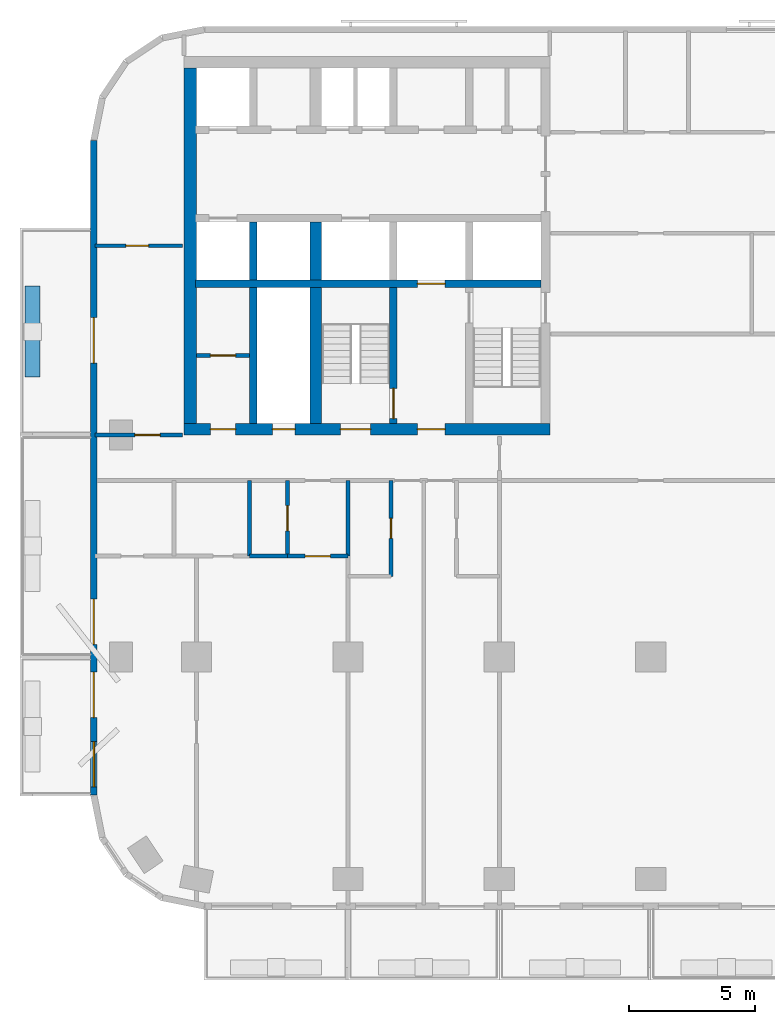
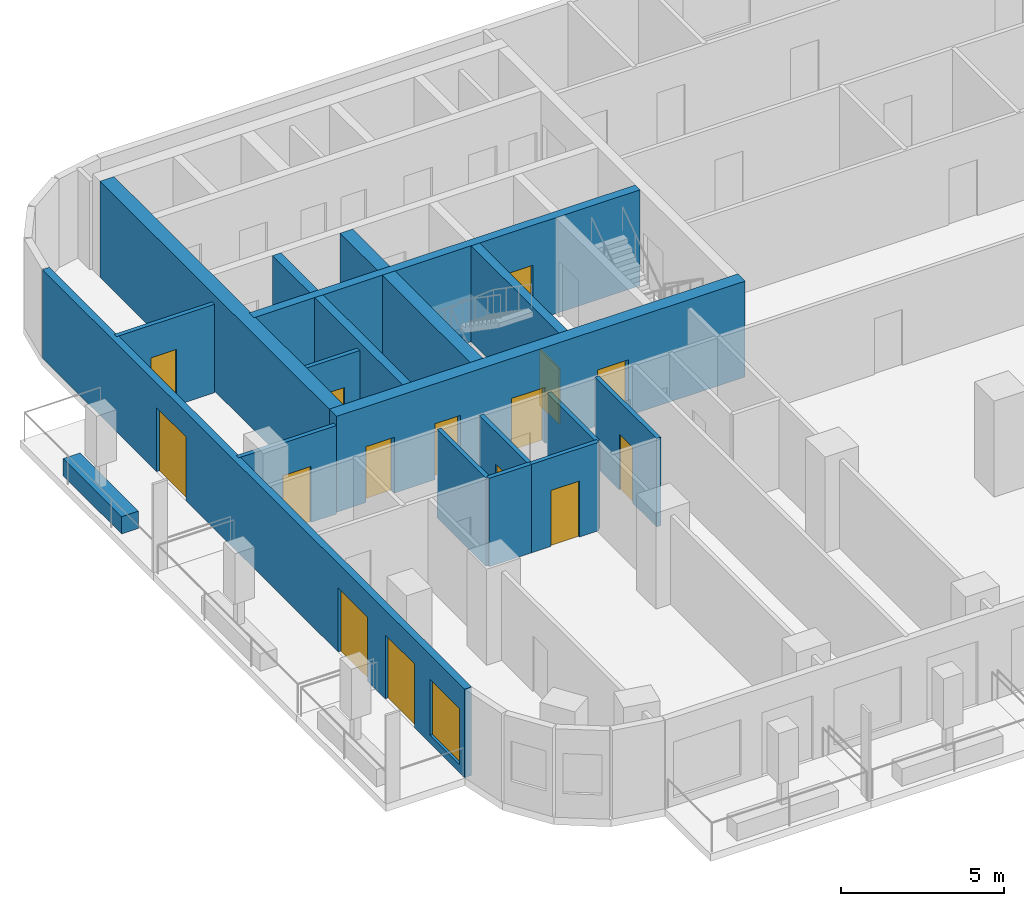
# One storey, part 3 of 12: 19 walls, 15 doors, 1 window, 16 openings.
"""IFC4 building model written with IfcOpenShell, lengths in metres."""

from ifc_helpers import new_model, si_unit, direction, frame, frame_2d, origin, place, context, subcontext, project, spatial, rectangle, extrude, material, layer, layer_set, type_object, element, fill, save


model = new_model("IFC4")

# Units and contexts
model_context = context("Model", 3, precision=1e-05, world=origin(), true_north=direction((0.0, 1.0)))
body_context = subcontext(model_context, "Body", "Model", "MODEL_VIEW")
ifc_project = project(units=[si_unit("LENGTHUNIT", "METRE"), si_unit("AREAUNIT", "SQUARE_METRE"), si_unit("VOLUMEUNIT", "CUBIC_METRE"), si_unit("PLANEANGLEUNIT", "RADIAN"), si_unit("MASSUNIT", "GRAM", prefix="KILO")], contexts=[model_context])

# Site, building, storey
site_placement = place(None, origin())
site = spatial("IfcSite", under=ifc_project, at=site_placement, CompositionType="ELEMENT")
building_placement = place(site_placement, origin())
building = spatial("IfcBuilding", under=site, at=building_placement, Name="Torana Hotel and Residences", CompositionType="ELEMENT")
storey_placement = place(building_placement, frame((0.0, 0.0, 112.800048828125)))
storey = spatial("IfcBuildingStorey", under=building, at=storey_placement, Name="L28", CompositionType="ELEMENT", Elevation=112.800048828125)

# Wall, opening, door
ifc_material_1 = material(Name="Concrete C70/85", Category="concrete")
ifc_layer_1 = layer(ifc_material_1, 0.300048828125)
ifc_layer_set_1 = layer_set([ifc_layer_1], Name="CORE WALL 300 C70/85")
wall_type_1 = type_object("IfcWallType", Name="CORE WALL 300 C70/85", PredefinedType="SHEAR", material=ifc_layer_set_1)
wall_1_placement = place(storey_placement, frame((-24.050048828125, -9.0, 0.0), z_axis=(0.0, 0.0, 1.0), x_axis=(1.0, 0.0, 0.0)))
wall_1 = element("IfcWall", 1, at=wall_1_placement, inside=storey, type_object=wall_type_1, Name="Core wall W band", PredefinedType="SHEAR", context=body_context, shape_type="SweptSolid", body=[
    extrude(rectangle(XDim=13.699951171875, YDim=0.300048828125, at=frame_2d((6.85009765625, 0.0))), origin(), (0.0, 0.0, 1.0), 3.599853515625),
])
opening_1_placement = place(wall_1_placement, frame((8.800048828125, 0.0, 0.0)))
opening_1 = element("IfcOpeningElement", 2, at=opening_1_placement, cuts=wall_1, Name="Opening LD", PredefinedType="OPENING", context=body_context, shape_type="SweptSolid", body=[
    extrude(rectangle(XDim=1.10009765625, YDim=2.10009765625, at=frame_2d((0.550048828125, 1.050048828125))), frame((0.0, 0.159912109375, 0.0), z_axis=(0.0, -1.0, 0.0), x_axis=(1.0, 0.0, 0.0)), (0.0, 0.0, 1.0), 0.320068359375),
])
ifc_material_2 = material(Name="Stainless steel 316", Category="steel")
door_type_1 = type_object("IfcDoorType", Name="LIFT LANDING DOOR LD 1100x2100", OperationType="DOUBLE_DOOR_SLIDING", PredefinedType="USERDEFINED", material=ifc_material_2)
door_1_placement = place(opening_1_placement, origin())
door_1 = element("IfcDoor", 3, at=door_1_placement, inside=storey, type_object=door_type_1, Name="Lift landing door FF1 L28", ObjectType="LIFT LANDING DOOR", OperationType="DOUBLE_DOOR_SLIDING", OverallHeight=2.10009765625, OverallWidth=1.10009765625, PredefinedType="USERDEFINED", context=body_context, shape_type="SweptSolid", body=[
    extrude(rectangle(XDim=1.10009765625, YDim=2.10009765625, at=frame_2d((0.550048828125, 1.050048828125))), frame((0.0, 0.02490234375, 0.0), z_axis=(0.0, -1.0, 0.0), x_axis=(1.0, 0.0, 0.0)), (0.0, 0.0, 1.0), 0.050048828125),
])
fill(opening_1, door_1)

wall_2_placement = place(storey_placement, frame((-16.199951171875, -14.550048828125, 0.0), z_axis=(0.0, 0.0, 1.0), x_axis=(0.0, 1.0, 0.0)))
wall_2 = element("IfcWall", 4, at=wall_2_placement, inside=storey, type_object=wall_type_1, Name="Core wall W x6.05-band", PredefinedType="SHEAR", context=body_context, shape_type="SweptSolid", body=[
    extrude(rectangle(XDim=5.400146484375, YDim=0.300048828125, at=frame_2d((2.7001953125, 0.0))), origin(), (0.0, 0.0, 1.0), 3.599853515625),
])
opening_2_placement = place(wall_2_placement, frame((0.199951171875, 0.0, 0.0)))
opening_2 = element("IfcOpeningElement", 5, at=opening_2_placement, cuts=wall_2, Name="Opening L28-15", PredefinedType="OPENING", context=body_context, shape_type="SweptSolid", body=[
    extrude(rectangle(XDim=1.199951171875, YDim=2.10009765625, at=frame_2d((0.60009765625, 1.050048828125))), frame((0.0, 0.159912109375, 0.0), z_axis=(0.0, -1.0, 0.0), x_axis=(1.0, 0.0, 0.0)), (0.0, 0.0, 1.0), 0.320068359375),
])
ifc_material_3 = material(Name="Steel S235", Category="steel")
door_type_2 = type_object("IfcDoorType", Name="STAIR FIRE DOOR D3 1200x2100", OperationType="SINGLE_SWING_LEFT", PredefinedType="DOOR", material=ifc_material_3)
door_2_placement = place(opening_2_placement, origin())
door_2 = element("IfcDoor", 6, at=door_2_placement, inside=storey, type_object=door_type_2, Name="Stair-B-lobby door L28", OperationType="SINGLE_SWING_RIGHT", OverallHeight=2.10009765625, OverallWidth=1.199951171875, PredefinedType="DOOR", context=body_context, shape_type="SweptSolid", body=[
    extrude(rectangle(XDim=1.199951171875, YDim=2.10009765625, at=frame_2d((0.60009765625, 1.050048828125))), frame((0.0, 0.02490234375, 0.0), z_axis=(0.0, -1.0, 0.0), x_axis=(1.0, 0.0, 0.0)), (0.0, 0.0, 1.0), 0.050048828125),
])
fill(opening_2, door_2)

# Walls
wall_3_placement = place(storey_placement, frame((-21.75, -8.85009765625, 0.0), z_axis=(0.0, 0.0, 1.0), x_axis=(0.0, 1.0, 0.0)))
element("IfcWall", 7, at=wall_3_placement, inside=storey, type_object=wall_type_1, Name="Core wall W mm-S", PredefinedType="SHEAR", context=body_context, shape_type="SweptSolid", body=[
    extrude(rectangle(XDim=2.300048828125, YDim=0.300048828125, at=frame_2d((1.14990234375, 0.0))), origin(), (0.0, 0.0, 1.0), 3.599853515625),
])
wall_4_placement = place(storey_placement, frame((-21.75, -14.550048828125, 0.0), z_axis=(0.0, 0.0, 1.0), x_axis=(0.0, 1.0, 0.0)))
element("IfcWall", 8, at=wall_4_placement, inside=storey, type_object=wall_type_1, Name="Core wall W mm-band", PredefinedType="SHEAR", context=body_context, shape_type="SweptSolid", body=[
    extrude(rectangle(XDim=5.400146484375, YDim=0.300048828125, at=frame_2d((2.7001953125, 0.0))), origin(), (0.0, 0.0, 1.0), 3.599853515625),
])

# Wall, openings, doors
ifc_material_4 = material(Name="Concrete C70/85", Category="concrete")
ifc_layer_2 = layer(ifc_material_4, 0.449951171875)
ifc_layer_set_2 = layer_set([ifc_layer_2], Name="CORE WALL 450 C70/85")
wall_type_2 = type_object("IfcWallType", Name="CORE WALL 450 C70/85", PredefinedType="SHEAR", material=ifc_layer_set_2)
wall_5_placement = place(storey_placement, frame((-24.5, -14.77490234375, 0.0), z_axis=(0.0, 0.0, 1.0), x_axis=(1.0, 0.0, 0.0)))
wall_5 = element("IfcWall", 9, at=wall_5_placement, inside=storey, type_object=wall_type_2, Name="Core wall W front", PredefinedType="SHEAR", context=body_context, shape_type="SweptSolid", body=[
    extrude(rectangle(XDim=14.5, YDim=0.449951171875, at=frame_2d((7.25, 0.0))), origin(), (0.0, 0.0, 1.0), 3.599853515625),
])
opening_3_placement = place(wall_5_placement, frame((6.199951171875, 0.0, 0.0)))
opening_3 = element("IfcOpeningElement", 10, at=opening_3_placement, cuts=wall_5, Name="Opening L28-04", PredefinedType="OPENING", context=body_context, shape_type="SweptSolid", body=[
    extrude(rectangle(XDim=1.199951171875, YDim=2.10009765625, at=frame_2d((0.60009765625, 1.050048828125))), frame((0.0, 0.23486328125, 0.0), z_axis=(0.0, -1.0, 0.0), x_axis=(1.0, 0.0, 0.0)), (0.0, 0.0, 1.0), 0.469970703125),
])
opening_4_placement = place(wall_5_placement, frame((9.25, 0.0, 0.0)))
opening_4 = element("IfcOpeningElement", 11, at=opening_4_placement, cuts=wall_5, Name="Opening L28-05", PredefinedType="OPENING", context=body_context, shape_type="SweptSolid", body=[
    extrude(rectangle(XDim=1.10009765625, YDim=2.10009765625, at=frame_2d((0.550048828125, 1.050048828125))), frame((0.0, 0.23486328125, 0.0), z_axis=(0.0, -1.0, 0.0), x_axis=(1.0, 0.0, 0.0)), (0.0, 0.0, 1.0), 0.469970703125),
])
opening_5_placement = place(wall_5_placement, frame((3.5, 0.0, 0.0)))
opening_5 = element("IfcOpeningElement", 12, at=opening_5_placement, cuts=wall_5, Name="Opening L28-06", PredefinedType="OPENING", context=body_context, shape_type="SweptSolid", body=[
    extrude(rectangle(XDim=0.89990234375, YDim=2.10009765625, at=frame_2d((0.449951171875, 1.050048828125))), frame((0.0, 0.23486328125, 0.0), z_axis=(0.0, -1.0, 0.0), x_axis=(1.0, 0.0, 0.0)), (0.0, 0.0, 1.0), 0.469970703125),
])
opening_6_placement = place(wall_5_placement, frame((1.050048828125, 0.0, 0.0)))
opening_6 = element("IfcOpeningElement", 13, at=opening_6_placement, cuts=wall_5, Name="Opening L28-07", PredefinedType="OPENING", context=body_context, shape_type="SweptSolid", body=[
    extrude(rectangle(XDim=1.0, YDim=2.10009765625, at=frame_2d((0.5, 1.050048828125))), frame((0.0, 0.23486328125, 0.0), z_axis=(0.0, -1.0, 0.0), x_axis=(1.0, 0.0, 0.0)), (0.0, 0.0, 1.0), 0.469970703125),
])
ifc_material_5 = material(Name="Steel S235", Category="steel")
door_type_3 = type_object("IfcDoorType", Name="CORE ROOM FIRE DOOR D14 1000x2100", OperationType="SINGLE_SWING_LEFT", PredefinedType="DOOR", material=ifc_material_5)
door_3_placement = place(opening_6_placement, origin())
door_3 = element("IfcDoor", 14, at=door_3_placement, inside=storey, type_object=door_type_3, Name="M-Room-B door L28", OperationType="SINGLE_SWING_RIGHT", OverallHeight=2.10009765625, OverallWidth=1.0, PredefinedType="DOOR", context=body_context, shape_type="SweptSolid", body=[
    extrude(rectangle(XDim=1.0, YDim=2.10009765625, at=frame_2d((0.5, 1.050048828125))), frame((0.0, 0.02490234375, 0.0), z_axis=(0.0, -1.0, 0.0), x_axis=(1.0, 0.0, 0.0)), (0.0, 0.0, 1.0), 0.050048828125),
])
fill(opening_6, door_3)
ifc_material_6 = material(Name="Steel S235", Category="steel")
door_type_4 = type_object("IfcDoorType", Name="FIRE-FIGHTING LOBBY DOOR D8 1100x2100", OperationType="SINGLE_SWING_LEFT", PredefinedType="DOOR", material=ifc_material_6)
door_4_placement = place(opening_4_placement, origin())
door_4 = element("IfcDoor", 15, at=door_4_placement, inside=storey, type_object=door_type_4, Name="FF-lobby door L28", OperationType="SINGLE_SWING_RIGHT", OverallHeight=2.10009765625, OverallWidth=1.10009765625, PredefinedType="DOOR", context=body_context, shape_type="SweptSolid", body=[
    extrude(rectangle(XDim=1.10009765625, YDim=2.10009765625, at=frame_2d((0.550048828125, 1.050048828125))), frame((0.0, 0.02490234375, 0.0), z_axis=(0.0, -1.0, 0.0), x_axis=(1.0, 0.0, 0.0)), (0.0, 0.0, 1.0), 0.050048828125),
])
fill(opening_4, door_4)
ifc_material_7 = material(Name="Steel S235", Category="steel")
door_type_5 = type_object("IfcDoorType", Name="RISER ACCESS DOOR D5 900x2100", OperationType="SINGLE_SWING_LEFT", PredefinedType="DOOR", material=ifc_material_7)
door_5_placement = place(opening_5_placement, origin())
door_5 = element("IfcDoor", 16, at=door_5_placement, inside=storey, type_object=door_type_5, Name="M-Riser door L28", OperationType="SINGLE_SWING_RIGHT", OverallHeight=2.10009765625, OverallWidth=0.89990234375, PredefinedType="DOOR", context=body_context, shape_type="SweptSolid", body=[
    extrude(rectangle(XDim=0.89990234375, YDim=2.10009765625, at=frame_2d((0.449951171875, 1.050048828125))), frame((0.0, 0.02490234375, 0.0), z_axis=(0.0, -1.0, 0.0), x_axis=(1.0, 0.0, 0.0)), (0.0, 0.0, 1.0), 0.050048828125),
])
fill(opening_5, door_5)
door_6_placement = place(opening_3_placement, origin())
door_6 = element("IfcDoor", 17, at=door_6_placement, inside=storey, type_object=door_type_2, Name="Stair-B door L28", OperationType="SINGLE_SWING_RIGHT", OverallHeight=2.10009765625, OverallWidth=1.199951171875, PredefinedType="DOOR", context=body_context, shape_type="SweptSolid", body=[
    extrude(rectangle(XDim=1.199951171875, YDim=2.10009765625, at=frame_2d((0.60009765625, 1.050048828125))), frame((0.0, 0.02490234375, 0.0), z_axis=(0.0, -1.0, 0.0), x_axis=(1.0, 0.0, 0.0)), (0.0, 0.0, 1.0), 0.050048828125),
])
fill(opening_3, door_6)

# Walls
wall_6_placement = place(storey_placement, frame((-19.27490234375, -8.85009765625, 0.0), z_axis=(0.0, 0.0, 1.0), x_axis=(0.0, 1.0, 0.0)))
element("IfcWall", 18, at=wall_6_placement, inside=storey, type_object=wall_type_2, Name="Core wall W hm-S", PredefinedType="SHEAR", context=body_context, shape_type="SweptSolid", body=[
    extrude(rectangle(XDim=2.300048828125, YDim=0.449951171875, at=frame_2d((1.14990234375, 0.0))), origin(), (0.0, 0.0, 1.0), 3.599853515625),
])
wall_7_placement = place(storey_placement, frame((-19.27490234375, -14.550048828125, 0.0), z_axis=(0.0, 0.0, 1.0), x_axis=(0.0, 1.0, 0.0)))
element("IfcWall", 19, at=wall_7_placement, inside=storey, type_object=wall_type_2, Name="Core wall W hm-band", PredefinedType="SHEAR", context=body_context, shape_type="SweptSolid", body=[
    extrude(rectangle(XDim=5.400146484375, YDim=0.449951171875, at=frame_2d((2.7001953125, 0.0))), origin(), (0.0, 0.0, 1.0), 3.599853515625),
])
ifc_material_8 = material(Name="Concrete C70/85", Category="concrete")
ifc_layer_3 = layer(ifc_material_8, 0.5)
ifc_layer_set_3 = layer_set([ifc_layer_3], Name="CORE WALL 500 C70/85")
wall_type_3 = type_object("IfcWallType", Name="CORE WALL 500 C70/85", PredefinedType="SHEAR", material=ifc_layer_set_3)
wall_8_placement = place(storey_placement, frame((-24.25, -14.550048828125, 0.0), z_axis=(0.0, 0.0, 1.0), x_axis=(0.0, 1.0, 0.0)))
element("IfcWall", 20, at=wall_8_placement, inside=storey, type_object=wall_type_3, Name="Core wall W outer", PredefinedType="SHEAR", context=body_context, shape_type="SweptSolid", body=[
    extrude(rectangle(XDim=14.10009765625, YDim=0.5, at=frame_2d((7.050048828125, 0.0))), origin(), (0.0, 0.0, 1.0), 3.599853515625),
])

# Wall, openings, doors, window
ifc_material_9 = material(Name="Black aluminium composite panel", Category="aluminium")
ifc_layer_4 = layer(ifc_material_9, 0.00390625, Name="Cladding", Category="cladding")
ifc_material_10 = material(Name="Ventilated air cavity")
ifc_layer_5 = layer(ifc_material_10, 0.0400390625, Name="Ventilated cavity", Category="cavity")
ifc_material_11 = material(Name="Mineral wool insulation")
ifc_layer_6 = layer(ifc_material_11, 0.090087890625, Name="Insulation", Category="insulation")
ifc_material_12 = material(Name="Steel S280GD", Category="steel")
ifc_layer_7 = layer(ifc_material_12, 0.092041015625, Name="Steel stud frame", Category="structure")
ifc_material_13 = material(Name="Fire rated plasterboard")
ifc_layer_8 = layer(ifc_material_13, 0.011962890625, Name="Inner board", Category="finish")
ifc_layer_9 = layer(ifc_material_13, 0.011962890625, Name="Second board", Category="finish")
ifc_layer_set_4 = layer_set([ifc_layer_4, ifc_layer_5, ifc_layer_6, ifc_layer_7, ifc_layer_8, ifc_layer_9], Name="EW1 EXTERNAL WALL BLACK METAL CLAD 250")
wall_type_4 = type_object("IfcWallType", Name="EW1 EXTERNAL WALL BLACK METAL CLAD 250", PredefinedType="SOLIDWALL", material=ifc_layer_set_4)
wall_9_placement = place(storey_placement, frame((-28.074951171875, -3.32470703125, 0.0), z_axis=(0.0, 0.0, 1.0), x_axis=(0.0, -1.0, 0.0)))
wall_9 = element("IfcWall", 21, at=wall_9_placement, inside=storey, type_object=wall_type_4, Name="External wall L28 e0.9", PredefinedType="SOLIDWALL", context=body_context, shape_type="SweptSolid", body=[
    extrude(rectangle(XDim=25.95068359375, YDim=0.25, at=frame_2d((12.975341796875, 0.0))), origin(), (0.0, 0.0, 1.0), 3.320068359375),
])
opening_7_placement = place(wall_9_placement, frame((7.025390625, 0.0, 0.0)))
opening_7 = element("IfcOpeningElement", 22, at=opening_7_placement, cuts=wall_9, Name="Opening L28-E12", PredefinedType="OPENING", context=body_context, shape_type="SweptSolid", body=[
    extrude(rectangle(XDim=1.800048828125, YDim=2.39990234375, at=frame_2d((0.89990234375, 1.199951171875))), frame((0.0, 0.135009765625, 0.0), z_axis=(0.0, -1.0, 0.0), x_axis=(1.0, 0.0, 0.0)), (0.0, 0.0, 1.0), 0.27001953125),
])
opening_8_placement = place(wall_9_placement, frame((18.17529296875, 0.0, 0.0)))
opening_8 = element("IfcOpeningElement", 23, at=opening_8_placement, cuts=wall_9, Name="Opening L28-E13", PredefinedType="OPENING", context=body_context, shape_type="SweptSolid", body=[
    extrude(rectangle(XDim=1.800048828125, YDim=2.39990234375, at=frame_2d((0.89990234375, 1.199951171875))), frame((0.0, 0.135009765625, 0.0), z_axis=(0.0, -1.0, 0.0), x_axis=(1.0, 0.0, 0.0)), (0.0, 0.0, 1.0), 0.27001953125),
])
opening_9_placement = place(wall_9_placement, frame((21.075439453125, 0.0, 0.0)))
opening_9 = element("IfcOpeningElement", 24, at=opening_9_placement, cuts=wall_9, Name="Opening L28-E14", PredefinedType="OPENING", context=body_context, shape_type="SweptSolid", body=[
    extrude(rectangle(XDim=1.800048828125, YDim=2.39990234375, at=frame_2d((0.89990234375, 1.199951171875))), frame((0.0, 0.135009765625, 0.0), z_axis=(0.0, -1.0, 0.0), x_axis=(1.0, 0.0, 0.0)), (0.0, 0.0, 1.0), 0.27001953125),
])
opening_10_placement = place(wall_9_placement, frame((23.825439453125, 0.0, 0.300048828125)))
opening_10 = element("IfcOpeningElement", 25, at=opening_10_placement, cuts=wall_9, Name="Opening W2", PredefinedType="OPENING", context=body_context, shape_type="SweptSolid", body=[
    extrude(rectangle(XDim=1.800048828125, YDim=2.10009765625, at=frame_2d((0.89990234375, 1.050048828125))), frame((0.0, 0.135009765625, 0.0), z_axis=(0.0, -1.0, 0.0), x_axis=(1.0, 0.0, 0.0)), (0.0, 0.0, 1.0), 0.27001953125),
])
ifc_material_14 = material(Name="Dark glass in black aluminium frame", Category="aluminium")
door_type_6 = type_object("IfcDoorType", Name="DB1 BALCONY DOOR 1800x2400", OperationType="DOUBLE_DOOR_SINGLE_SWING", PredefinedType="DOOR", material=ifc_material_14)
door_7_placement = place(opening_7_placement, origin())
door_7 = element("IfcDoor", 26, at=door_7_placement, inside=storey, type_object=door_type_6, Name="Balcony door L28", OperationType="DOUBLE_DOOR_SINGLE_SWING", OverallHeight=2.39990234375, OverallWidth=1.800048828125, PredefinedType="DOOR", context=body_context, shape_type="SweptSolid", body=[
    extrude(rectangle(XDim=1.800048828125, YDim=2.39990234375, at=frame_2d((0.89990234375, 1.199951171875))), frame((0.0, 0.02490234375, 0.0), z_axis=(0.0, -1.0, 0.0), x_axis=(1.0, 0.0, 0.0)), (0.0, 0.0, 1.0), 0.050048828125),
])
fill(opening_7, door_7)
door_8_placement = place(opening_8_placement, frame((0.89990234375, 0.0, 0.0), z_axis=(0.0, 0.0, 1.0), x_axis=(-1.0, 0.0, 0.0)))
door_8 = element("IfcDoor", 27, at=door_8_placement, inside=storey, type_object=door_type_6, Name="Balcony door L28", OperationType="DOUBLE_DOOR_SINGLE_SWING", OverallHeight=2.39990234375, OverallWidth=1.800048828125, PredefinedType="DOOR", context=body_context, shape_type="SweptSolid", body=[
    extrude(rectangle(XDim=1.800048828125, YDim=2.39990234375, at=frame_2d((0.0, 1.199951171875))), frame((0.0, -0.02490234375, 0.0), z_axis=(0.0, 1.0, 0.0), x_axis=(-1.0, 0.0, 0.0)), (0.0, 0.0, 1.0), 0.050048828125),
])
fill(opening_8, door_8)
door_9_placement = place(opening_9_placement, origin())
door_9 = element("IfcDoor", 28, at=door_9_placement, inside=storey, type_object=door_type_6, Name="Balcony door L28", OperationType="DOUBLE_DOOR_SINGLE_SWING", OverallHeight=2.39990234375, OverallWidth=1.800048828125, PredefinedType="DOOR", context=body_context, shape_type="SweptSolid", body=[
    extrude(rectangle(XDim=1.800048828125, YDim=2.39990234375, at=frame_2d((0.89990234375, 1.199951171875))), frame((0.0, 0.02490234375, 0.0), z_axis=(0.0, -1.0, 0.0), x_axis=(1.0, 0.0, 0.0)), (0.0, 0.0, 1.0), 0.050048828125),
])
fill(opening_9, door_9)
ifc_material_15 = material(Name="Dark glass in black aluminium frame", Category="aluminium")
window_type = type_object("IfcWindowType", Name="W2 HOTEL ROOM WINDOW NARROW 1800x2100", PartitioningType="SINGLE_PANEL", PredefinedType="WINDOW", material=ifc_material_15)
window_placement = place(opening_10_placement, origin())
window = element("IfcWindow", 29, at=window_placement, inside=storey, type_object=window_type, Name="Window L28", OverallHeight=2.10009765625, OverallWidth=1.800048828125, PartitioningType="SINGLE_PANEL", PredefinedType="WINDOW", context=body_context, shape_type="SweptSolid", body=[
    extrude(rectangle(XDim=1.800048828125, YDim=2.10009765625, at=frame_2d((0.89990234375, 1.050048828125))), frame((0.0, 0.030029296875, 0.0), z_axis=(0.0, -1.0, 0.0), x_axis=(1.0, 0.0, 0.0)), (0.0, 0.0, 1.0), 0.06005859375),
])
fill(opening_10, window)

# Wall, opening, door
ifc_material_16 = material(Name="Gypsum plaster")
ifc_layer_10 = layer(ifc_material_16, 0.014892578125, Name="Plaster", Category="finish")
ifc_material_17 = material(Name="Concrete blockwork", Category="masonry")
ifc_layer_11 = layer(ifc_material_17, 0.1201171875, Name="Blockwork", Category="structure")
ifc_layer_12 = layer(ifc_material_16, 0.014892578125, Name="Plaster", Category="finish")
ifc_layer_set_5 = layer_set([ifc_layer_10, ifc_layer_11, ifc_layer_12], Name="FIRE PARTITION 150 BLOCKWORK")
wall_type_5 = type_object("IfcWallType", Name="FIRE PARTITION 150 BLOCKWORK", PredefinedType="PARTITIONING", material=ifc_layer_set_5)
wall_10_placement = place(storey_placement, frame((-24.0, -11.85009765625, 0.0), z_axis=(0.0, 0.0, 1.0), x_axis=(1.0, 0.0, 0.0)))
wall_10 = element("IfcWall", 30, at=wall_10_placement, inside=storey, type_object=wall_type_5, Name="Core partition L28", PredefinedType="PARTITIONING", context=body_context, shape_type="SweptSolid", body=[
    extrude(rectangle(XDim=2.10009765625, YDim=0.14990234375, at=frame_2d((1.050048828125, 0.0))), origin(), (0.0, 0.0, 1.0), 3.300048828125),
])
opening_11_placement = place(wall_10_placement, frame((0.550048828125, 0.0, 0.0)))
opening_11 = element("IfcOpeningElement", 31, at=opening_11_placement, cuts=wall_10, Name="Opening L28-31", PredefinedType="OPENING", context=body_context, shape_type="SweptSolid", body=[
    extrude(rectangle(XDim=1.0, YDim=2.10009765625, at=frame_2d((0.5, 1.050048828125))), frame((0.0, 0.0849609375, 0.0), z_axis=(0.0, -1.0, 0.0), x_axis=(1.0, 0.0, 0.0)), (0.0, 0.0, 1.0), 0.169921875),
])
door_10_placement = place(opening_11_placement, origin())
door_10 = element("IfcDoor", 32, at=door_10_placement, inside=storey, type_object=door_type_3, Name="Plant room door L28", OperationType="SINGLE_SWING_RIGHT", OverallHeight=2.10009765625, OverallWidth=1.0, PredefinedType="DOOR", context=body_context, shape_type="SweptSolid", body=[
    extrude(rectangle(XDim=1.0, YDim=2.10009765625, at=frame_2d((0.5, 1.050048828125))), frame((0.0, 0.02490234375, 0.0), z_axis=(0.0, -1.0, 0.0), x_axis=(1.0, 0.0, 0.0)), (0.0, 0.0, 1.0), 0.050048828125),
])
fill(opening_11, door_10)

# Wall
wall_11_placement = place(storey_placement, frame((-18.0, -19.800048828125, 0.0), z_axis=(0.0, 0.0, 1.0), x_axis=(0.0, 1.0, 0.0)))
element("IfcWall", 33, at=wall_11_placement, inside=storey, type_object=wall_type_5, Name="Partition L28", PredefinedType="PARTITIONING", context=body_context, shape_type="SweptSolid", body=[
    extrude(rectangle(XDim=3.0, YDim=0.14990234375, at=frame_2d((1.5, 0.0))), origin(), (0.0, 0.0, 1.0), 3.320068359375),
])

# Wall, opening, door
wall_12_placement = place(storey_placement, frame((-20.39990234375, -19.800048828125, 0.0), z_axis=(0.0, 0.0, 1.0), x_axis=(0.0, 1.0, 0.0)))
wall_12 = element("IfcWall", 34, at=wall_12_placement, inside=storey, type_object=wall_type_5, Name="Partition L28", PredefinedType="PARTITIONING", context=body_context, shape_type="SweptSolid", body=[
    extrude(rectangle(XDim=3.0, YDim=0.14990234375, at=frame_2d((1.5, 0.0))), origin(), (0.0, 0.0, 1.0), 3.320068359375),
])
opening_12_placement = place(wall_12_placement, frame((1.0, 0.0, 0.0)))
opening_12 = element("IfcOpeningElement", 35, at=opening_12_placement, cuts=wall_12, Name="Opening L28-57", PredefinedType="OPENING", context=body_context, shape_type="SweptSolid", body=[
    extrude(rectangle(XDim=1.0, YDim=2.10009765625, at=frame_2d((0.5, 1.050048828125))), frame((0.0, 0.0849609375, 0.0), z_axis=(0.0, -1.0, 0.0), x_axis=(1.0, 0.0, 0.0)), (0.0, 0.0, 1.0), 0.169921875),
])
ifc_material_18 = material(Name="Steel S235", Category="steel")
door_type_7 = type_object("IfcDoorType", Name="ENTRY FIRE DOOR D6 1000x2100", OperationType="SINGLE_SWING_LEFT", PredefinedType="DOOR", material=ifc_material_18)
door_11_placement = place(opening_12_placement, origin())
door_11 = element("IfcDoor", 36, at=door_11_placement, inside=storey, type_object=door_type_7, Name="Door L28", OperationType="SINGLE_SWING_RIGHT", OverallHeight=2.10009765625, OverallWidth=1.0, PredefinedType="DOOR", context=body_context, shape_type="SweptSolid", body=[
    extrude(rectangle(XDim=1.0, YDim=2.10009765625, at=frame_2d((0.5, 1.050048828125))), frame((0.0, 0.02490234375, 0.0), z_axis=(0.0, -1.0, 0.0), x_axis=(1.0, 0.0, 0.0)), (0.0, 0.0, 1.0), 0.050048828125),
])
fill(opening_12, door_11)

wall_13_placement = place(storey_placement, frame((-20.39990234375, -19.800048828125, 0.0), z_axis=(0.0, 0.0, 1.0), x_axis=(1.0, 0.0, 0.0)))
wall_13 = element("IfcWall", 37, at=wall_13_placement, inside=storey, type_object=wall_type_5, Name="Partition L28", PredefinedType="PARTITIONING", context=body_context, shape_type="SweptSolid", body=[
    extrude(rectangle(XDim=2.39990234375, YDim=0.14990234375, at=frame_2d((1.199951171875, 0.0))), origin(), (0.0, 0.0, 1.0), 3.320068359375),
])
opening_13_placement = place(wall_13_placement, frame((0.699951171875, 0.0, 0.0)))
opening_13 = element("IfcOpeningElement", 38, at=opening_13_placement, cuts=wall_13, Name="Opening L28-58", PredefinedType="OPENING", context=body_context, shape_type="SweptSolid", body=[
    extrude(rectangle(XDim=1.0, YDim=2.10009765625, at=frame_2d((0.5, 1.050048828125))), frame((0.0, 0.0849609375, 0.0), z_axis=(0.0, -1.0, 0.0), x_axis=(1.0, 0.0, 0.0)), (0.0, 0.0, 1.0), 0.169921875),
])
door_12_placement = place(opening_13_placement, frame((0.5, 0.0, 0.0), z_axis=(0.0, 0.0, 1.0), x_axis=(-1.0, 0.0, 0.0)))
door_12 = element("IfcDoor", 39, at=door_12_placement, inside=storey, type_object=door_type_7, Name="Door L28", OperationType="SINGLE_SWING_RIGHT", OverallHeight=2.10009765625, OverallWidth=1.0, PredefinedType="DOOR", context=body_context, shape_type="SweptSolid", body=[
    extrude(rectangle(XDim=1.0, YDim=2.10009765625, at=frame_2d((0.0, 1.050048828125))), frame((0.0, -0.02490234375, 0.0), z_axis=(0.0, 1.0, 0.0), x_axis=(-1.0, 0.0, 0.0)), (0.0, 0.0, 1.0), 0.050048828125),
])
fill(opening_13, door_12)

wall_14_placement = place(storey_placement, frame((-28.02001953125, -15.0, 0.0), z_axis=(0.0, 0.0, 1.0), x_axis=(1.0, 0.0, 0.0)))
wall_14 = element("IfcWall", 40, at=wall_14_placement, inside=storey, type_object=wall_type_5, Name="Partition L28", PredefinedType="PARTITIONING", context=body_context, shape_type="SweptSolid", body=[
    extrude(rectangle(XDim=3.469970703125, YDim=0.14990234375, at=frame_2d((1.73486328125, 0.0))), origin(), (0.0, 0.0, 1.0), 3.320068359375),
])
opening_14_placement = place(wall_14_placement, frame((1.570068359375, 0.0, 0.0)))
opening_14 = element("IfcOpeningElement", 41, at=opening_14_placement, cuts=wall_14, Name="Opening L28-37", PredefinedType="OPENING", context=body_context, shape_type="SweptSolid", body=[
    extrude(rectangle(XDim=1.0, YDim=2.10009765625, at=frame_2d((0.5, 1.050048828125))), frame((0.0, 0.0849609375, 0.0), z_axis=(0.0, -1.0, 0.0), x_axis=(1.0, 0.0, 0.0)), (0.0, 0.0, 1.0), 0.169921875),
])
door_13_placement = place(opening_14_placement, origin())
door_13 = element("IfcDoor", 42, at=door_13_placement, inside=storey, type_object=door_type_3, Name="Door L28", OperationType="SINGLE_SWING_RIGHT", OverallHeight=2.10009765625, OverallWidth=1.0, PredefinedType="DOOR", context=body_context, shape_type="SweptSolid", body=[
    extrude(rectangle(XDim=1.0, YDim=2.10009765625, at=frame_2d((0.5, 1.050048828125))), frame((0.0, 0.02490234375, 0.0), z_axis=(0.0, -1.0, 0.0), x_axis=(1.0, 0.0, 0.0)), (0.0, 0.0, 1.0), 0.050048828125),
])
fill(opening_14, door_13)

ifc_material_19 = material(Name="Gypsum plasterboard")
ifc_layer_13 = layer(ifc_material_19, 0.012451171875, Name="Plasterboard", Category="finish")
ifc_layer_14 = layer(ifc_material_19, 0.012451171875, Name="Plasterboard", Category="finish")
ifc_layer_15 = layer(ifc_material_12, 0.10009765625, Name="Steel studs with mineral wool", Category="insulation")
ifc_layer_16 = layer(ifc_material_19, 0.012451171875, Name="Plasterboard", Category="finish")
ifc_layer_17 = layer(ifc_material_19, 0.012451171875, Name="Plasterboard", Category="finish")
ifc_layer_set_6 = layer_set([ifc_layer_13, ifc_layer_14, ifc_layer_15, ifc_layer_16, ifc_layer_17], Name="PARTITION 150 PLASTERBOARD")
wall_type_6 = type_object("IfcWallType", Name="PARTITION 150 PLASTERBOARD", PredefinedType="PARTITIONING", material=ifc_layer_set_6)
wall_15_placement = place(storey_placement, frame((-16.300048828125, -20.60009765625, 0.0), z_axis=(0.0, 0.0, 1.0), x_axis=(0.0, 1.0, 0.0)))
wall_15 = element("IfcWall", 43, at=wall_15_placement, inside=storey, type_object=wall_type_6, Name="Partition L28", PredefinedType="PARTITIONING", context=body_context, shape_type="SweptSolid", body=[
    extrude(rectangle(XDim=3.800048828125, YDim=0.14990234375, at=frame_2d((1.89990234375, 0.0))), origin(), (0.0, 0.0, 1.0), 3.320068359375),
])
opening_15_placement = place(wall_15_placement, frame((1.5, 0.0, 0.0)))
opening_15 = element("IfcOpeningElement", 44, at=opening_15_placement, cuts=wall_15, Name="Opening L28-54", PredefinedType="OPENING", context=body_context, shape_type="SweptSolid", body=[
    extrude(rectangle(XDim=0.800048828125, YDim=2.10009765625, at=frame_2d((0.39990234375, 1.050048828125))), frame((0.0, 0.0849609375, 0.0), z_axis=(0.0, -1.0, 0.0), x_axis=(1.0, 0.0, 0.0)), (0.0, 0.0, 1.0), 0.169921875),
])
ifc_material_20 = material(Name="Timber door, painted", Category="wood")
door_type_8 = type_object("IfcDoorType", Name="BATH DOOR D13 800x2100", OperationType="SINGLE_SWING_LEFT", PredefinedType="DOOR", material=ifc_material_20)
door_14_placement = place(opening_15_placement, origin())
door_14 = element("IfcDoor", 45, at=door_14_placement, inside=storey, type_object=door_type_8, Name="Door L28", OperationType="SINGLE_SWING_RIGHT", OverallHeight=2.10009765625, OverallWidth=0.800048828125, PredefinedType="DOOR", context=body_context, shape_type="SweptSolid", body=[
    extrude(rectangle(XDim=0.800048828125, YDim=2.10009765625, at=frame_2d((0.39990234375, 1.050048828125))), frame((0.0, 0.02490234375, 0.0), z_axis=(0.0, -1.0, 0.0), x_axis=(1.0, 0.0, 0.0)), (0.0, 0.0, 1.0), 0.050048828125),
])
fill(opening_15, door_14)

wall_16_placement = place(storey_placement, frame((-28.02001953125, -7.5, 0.0), z_axis=(0.0, 0.0, 1.0), x_axis=(1.0, 0.0, 0.0)))
wall_16 = element("IfcWall", 46, at=wall_16_placement, inside=storey, type_object=wall_type_6, Name="Partition L28", PredefinedType="PARTITIONING", context=body_context, shape_type="SweptSolid", body=[
    extrude(rectangle(XDim=3.469970703125, YDim=0.14990234375, at=frame_2d((1.73486328125, 0.0))), origin(), (0.0, 0.0, 1.0), 3.320068359375),
])
opening_16_placement = place(wall_16_placement, frame((1.219970703125, 0.0, 0.0)))
opening_16 = element("IfcOpeningElement", 47, at=opening_16_placement, cuts=wall_16, Name="Opening L28-67", PredefinedType="OPENING", context=body_context, shape_type="SweptSolid", body=[
    extrude(rectangle(XDim=0.89990234375, YDim=2.10009765625, at=frame_2d((0.449951171875, 1.050048828125))), frame((0.0, 0.0849609375, 0.0), z_axis=(0.0, -1.0, 0.0), x_axis=(1.0, 0.0, 0.0)), (0.0, 0.0, 1.0), 0.169921875),
])
ifc_material_21 = material(Name="Timber door, oiled ash", Category="wood")
door_type_9 = type_object("IfcDoorType", Name="ROOM DOOR D7 900x2100", OperationType="SINGLE_SWING_LEFT", PredefinedType="DOOR", material=ifc_material_21)
door_15_placement = place(opening_16_placement, origin())
door_15 = element("IfcDoor", 48, at=door_15_placement, inside=storey, type_object=door_type_9, Name="Door L28", OperationType="SINGLE_SWING_RIGHT", OverallHeight=2.10009765625, OverallWidth=0.89990234375, PredefinedType="DOOR", context=body_context, shape_type="SweptSolid", body=[
    extrude(rectangle(XDim=0.89990234375, YDim=2.10009765625, at=frame_2d((0.449951171875, 1.050048828125))), frame((0.0, 0.02490234375, 0.0), z_axis=(0.0, -1.0, 0.0), x_axis=(1.0, 0.0, 0.0)), (0.0, 0.0, 1.0), 0.050048828125),
])
fill(opening_16, door_15)

# Walls
ifc_material_22 = material(Name="Concrete C40/50 precast", Category="concrete")
ifc_layer_18 = layer(ifc_material_22, 0.10009765625, Name="Planter shell", Category="structure")
ifc_material_23 = material(Name="Root resistant membrane")
ifc_layer_19 = layer(ifc_material_23, 0.00390625, Name="Waterproofing membrane", Category="membrane")
ifc_material_24 = material(Name="Drainage board with filter fleece")
ifc_layer_20 = layer(ifc_material_24, 0.02001953125, Name="Drainage board", Category="drainage")
ifc_material_25 = material(Name="Growing medium")
ifc_layer_21 = layer(ifc_material_25, 0.47607421875, Name="Planting substrate", Category="soil")
ifc_layer_set_7 = layer_set([ifc_layer_18, ifc_layer_19, ifc_layer_20, ifc_layer_21], Name="PL1 BALCONY PLANTER 600")
wall_type_7 = type_object("IfcWallType", Name="PL1 BALCONY PLANTER 600", PredefinedType="USERDEFINED", material=ifc_layer_set_7)
wall_17_placement = place(storey_placement, frame((-30.5, -12.699951171875, 0.0), z_axis=(0.0, 0.0, 1.0), x_axis=(0.0, 1.0, 0.0)))
element("IfcWall", 49, at=wall_17_placement, inside=storey, type_object=wall_type_7, Name="Planter 11", ObjectType="PLANTER", PredefinedType="USERDEFINED", context=body_context, shape_type="SweptSolid", body=[
    extrude(rectangle(XDim=3.599853515625, YDim=0.60009765625, at=frame_2d((1.7998046875, 0.0))), origin(), (0.0, 0.0, 1.0), 0.64990234375),
])
ifc_material_26 = material(Name="Ceramic tile on adhesive")
ifc_layer_22 = layer(ifc_material_26, 0.010009765625, Name="Wall tile", Category="finish")
ifc_material_27 = material(Name="Cement render")
ifc_layer_23 = layer(ifc_material_27, 0.010009765625, Name="Render", Category="finish")
ifc_layer_24 = layer(ifc_material_17, 0.110107421875, Name="Blockwork", Category="structure")
ifc_layer_25 = layer(ifc_material_27, 0.010009765625, Name="Render", Category="finish")
ifc_layer_26 = layer(ifc_material_26, 0.010009765625, Name="Wall tile", Category="finish")
ifc_layer_set_8 = layer_set([ifc_layer_22, ifc_layer_23, ifc_layer_24, ifc_layer_25, ifc_layer_26], Name="WC PARTITION 150")
wall_type_8 = type_object("IfcWallType", Name="WC PARTITION 150", PredefinedType="PLUMBINGWALL", material=ifc_layer_set_8)
wall_18_placement = place(storey_placement, frame((-21.89990234375, -19.800048828125, 0.0), z_axis=(0.0, 0.0, 1.0), x_axis=(0.0, 1.0, 0.0)))
element("IfcWall", 50, at=wall_18_placement, inside=storey, type_object=wall_type_8, Name="Partition L28", PredefinedType="PLUMBINGWALL", context=body_context, shape_type="SweptSolid", body=[
    extrude(rectangle(XDim=3.0, YDim=0.14990234375, at=frame_2d((1.5, 0.0))), origin(), (0.0, 0.0, 1.0), 3.320068359375),
])
wall_19_placement = place(storey_placement, frame((-21.89990234375, -19.800048828125, 0.0), z_axis=(0.0, 0.0, 1.0), x_axis=(1.0, 0.0, 0.0)))
element("IfcWall", 51, at=wall_19_placement, inside=storey, type_object=wall_type_8, Name="Partition L28", PredefinedType="PLUMBINGWALL", context=body_context, shape_type="SweptSolid", body=[
    extrude(rectangle(XDim=1.5, YDim=0.14990234375, at=frame_2d((0.75, 0.0))), origin(), (0.0, 0.0, 1.0), 3.320068359375),
])

save(model, "model.ifc")
